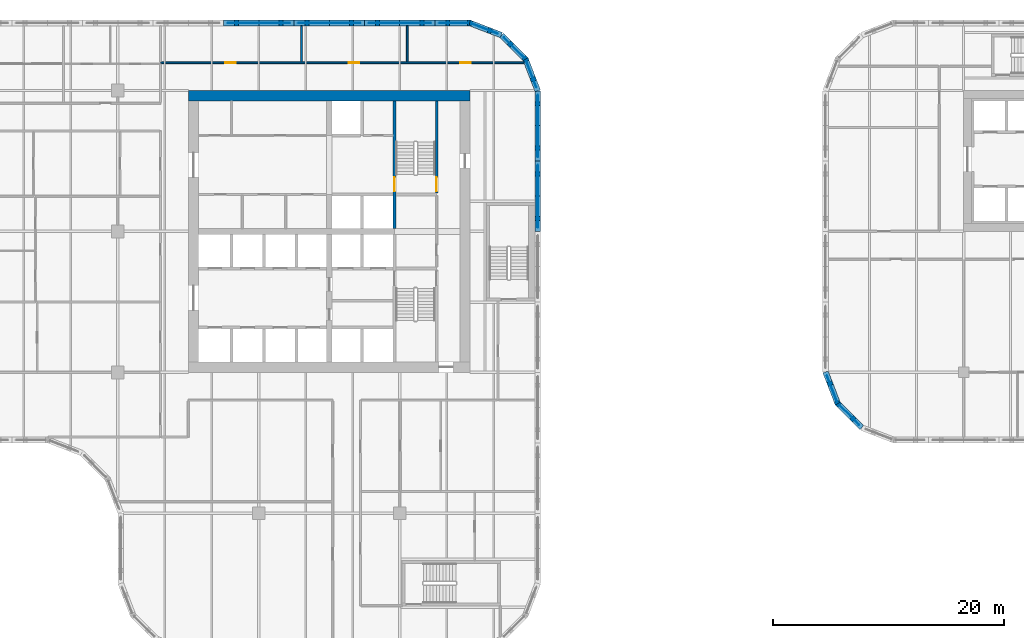
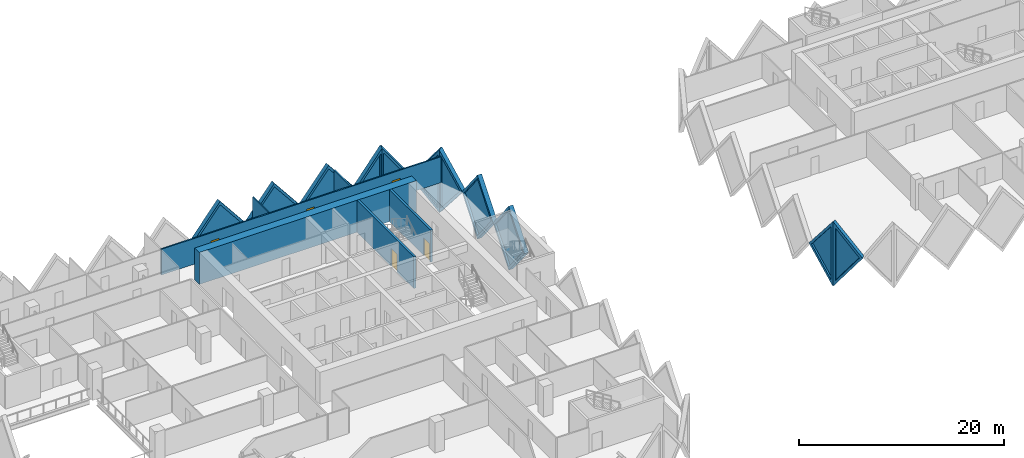
# One storey, part 10 of 18: 17 walls, 11 plates, 5 doors, 16 openings.
"""IFC4 building model written with IfcOpenShell, lengths in metres."""

from ifc_helpers import new_model, si_unit, direction, frame, frame_2d, origin, place, context, subcontext, project, spatial, polyline, rectangle, outline, extrude, faceted_brep, source, transform, mapped, material, layer, layer_set, type_object, element, fill, save


model = new_model("IFC4")

# Units and contexts
model_context = context("Model", 3, precision=1e-05, world=origin(), true_north=direction((0.0, 1.0)))
body_context = subcontext(model_context, "Body", "Model", "MODEL_VIEW")
ifc_project = project(units=[si_unit("LENGTHUNIT", "METRE"), si_unit("AREAUNIT", "SQUARE_METRE"), si_unit("VOLUMEUNIT", "CUBIC_METRE"), si_unit("PLANEANGLEUNIT", "RADIAN"), si_unit("MASSUNIT", "GRAM", prefix="KILO")], contexts=[model_context])

# Site, building, storey
site_placement = place(None, origin())
site = spatial("IfcSite", under=ifc_project, at=site_placement, CompositionType="ELEMENT")
building_placement = place(site_placement, origin())
building = spatial("IfcBuilding", under=site, at=building_placement, Name="Tessera Gate Towers", CompositionType="ELEMENT")
storey_placement = place(building_placement, frame((0.0, 0.0, 56.199951171875)))
storey = spatial("IfcBuildingStorey", under=building, at=storey_placement, Name="L13", CompositionType="ELEMENT", Elevation=56.199951171875)

# Wall, opening, door
ifc_material_1 = material(Name="Concrete C40/50", Category="concrete")
ifc_layer_1 = layer(ifc_material_1, 0.25)
ifc_layer_set_1 = layer_set([ifc_layer_1], Name="CORE ENCLOSURE WALL 250")
wall_type_1 = type_object("IfcWallType", Name="CORE ENCLOSURE WALL 250", PredefinedType="SOLIDWALL", material=ifc_layer_set_1)
wall_1_placement = place(storey_placement, frame((48.35009765625, 47.89990234375, 0.0), z_axis=(0.0, 0.0, 1.0), x_axis=(0.0, -1.0, 0.0)))
wall_1 = element("IfcWall", 1, at=wall_1_placement, inside=storey, type_object=wall_type_1, Name="L13 shaft and stair enclosure wall", PredefinedType="SOLIDWALL", context=body_context, shape_type="SweptSolid", body=[
    extrude(rectangle(XDim=11.0498046875, YDim=0.25, at=frame_2d((5.52490234375, 0.0))), origin(), (0.0, 0.0, 1.0), 3.800048828125),
])
shared_shape_1 = source(origin(), body_context, "Body", "SweptSolid", [
    extrude(rectangle(XDim=1.199951171875, YDim=2.10009765625, at=frame_2d((0.60009765625, 1.050048828125))), frame((0.0, 0.135009765625, 0.0), z_axis=(0.0, -1.0, 0.0), x_axis=(1.0, 0.0, 0.0)), (0.0, 0.0, 1.0), 0.27001953125),
])
opening_1_placement = place(wall_1_placement, frame((6.625, 0.0, 0.0)))
opening_1 = element("IfcOpeningElement", 2, at=opening_1_placement, cuts=wall_1, Name="Opening SD-ST2-1", PredefinedType="OPENING", context=body_context, shape_type="MappedRepresentation", body=[
    mapped(shared_shape_1, transform((0.0, 0.0, 0.0), scale=1.0)),
])
ifc_material_2 = material(Name="Hollow steel fire door", Category="steel")
door_type_1 = type_object("IfcDoorType", Name="CORE DOOR SD 1200x2100", OperationType="NOTDEFINED", PredefinedType="DOOR", material=ifc_material_2)
shared_shape_2 = source(origin(), body_context, "Body", "SweptSolid", [
    extrude(rectangle(XDim=1.199951171875, YDim=2.10009765625, at=frame_2d((0.60009765625, 1.050048828125))), frame((0.0, 0.02490234375, 0.0), z_axis=(0.0, -1.0, 0.0), x_axis=(1.0, 0.0, 0.0)), (0.0, 0.0, 1.0), 0.050048828125),
])
door_1_placement = place(opening_1_placement, origin())
door_1 = element("IfcDoor", 3, at=door_1_placement, inside=storey, type_object=door_type_1, Name="Stair door", OperationType="SINGLE_SWING_RIGHT", OverallHeight=2.10009765625, OverallWidth=1.199951171875, PredefinedType="DOOR", context=body_context, shape_type="MappedRepresentation", body=[
    mapped(shared_shape_2, transform((0.0, 0.0, 0.0), scale=1.0)),
])
fill(opening_1, door_1)

wall_2_placement = place(storey_placement, frame((52.0, 39.925048828125, 0.0), z_axis=(0.0, 0.0, 1.0), x_axis=(0.0, 1.0, 0.0)))
wall_2 = element("IfcWall", 4, at=wall_2_placement, inside=storey, type_object=wall_type_1, Name="L13 shaft and stair enclosure wall", PredefinedType="SOLIDWALL", context=body_context, shape_type="SweptSolid", body=[
    extrude(rectangle(XDim=7.974853515625, YDim=0.25, at=frame_2d((3.9873046875, 0.0))), origin(), (0.0, 0.0, 1.0), 3.800048828125),
])
opening_2_placement = place(wall_2_placement, frame((0.14990234375, 0.0, 0.0)))
opening_2 = element("IfcOpeningElement", 5, at=opening_2_placement, cuts=wall_2, Name="Opening SD-ST2-2", PredefinedType="OPENING", context=body_context, shape_type="MappedRepresentation", body=[
    mapped(shared_shape_1, transform((0.0, 0.0, 0.0), scale=1.0)),
])
door_2_placement = place(opening_2_placement, origin())
door_2 = element("IfcDoor", 6, at=door_2_placement, inside=storey, type_object=door_type_1, Name="Stair door", OperationType="SINGLE_SWING_LEFT", OverallHeight=2.10009765625, OverallWidth=1.199951171875, PredefinedType="DOOR", context=body_context, shape_type="MappedRepresentation", body=[
    mapped(shared_shape_2, transform((0.0, 0.0, 0.0), scale=1.0)),
])
fill(opening_2, door_2)

# Wall
ifc_material_3 = material(Name="Concrete C70/85", Category="concrete")
ifc_layer_2 = layer(ifc_material_3, 0.89990234375)
ifc_layer_set_2 = layer_set([ifc_layer_2], Name="CORE SHEAR WALL 900 C70/85")
wall_type_2 = type_object("IfcWallType", Name="CORE SHEAR WALL 900 C70/85", PredefinedType="SHEAR", material=ifc_layer_set_2)
wall_3_placement = place(storey_placement, frame((30.5, 48.35009765625, 0.0), z_axis=(0.0, 0.0, 1.0), x_axis=(1.0, 0.0, 0.0)))
element("IfcWall", 7, at=wall_3_placement, inside=storey, type_object=wall_type_2, Name="Core wall N L13", PredefinedType="SHEAR", context=body_context, shape_type="SweptSolid", body=[
    extrude(rectangle(XDim=24.39990234375, YDim=0.89990234375, at=frame_2d((12.199951171875, 0.0))), origin(), (0.0, 0.0, 1.0), 3.800048828125),
])

# Wall, openings, doors
ifc_material_4 = material(Name="Gypsum board on steel studs, mineral wool", Category="steel")
ifc_layer_3 = layer(ifc_material_4, 0.14990234375)
ifc_layer_set_3 = layer_set([ifc_layer_3], Name="CORRIDOR WALL 150")
wall_type_3 = type_object("IfcWallType", Name="CORRIDOR WALL 150", PredefinedType="PARTITIONING", material=ifc_layer_set_3)
wall_4_placement = place(storey_placement, frame((28.10009765625, 51.199951171875, 0.0), z_axis=(0.0, 0.0, 1.0), x_axis=(1.0, 0.0, 0.0)))
wall_4 = element("IfcWall", 8, at=wall_4_placement, inside=storey, type_object=wall_type_3, Name="T1-L13-PW-047", PredefinedType="PARTITIONING", context=body_context, shape_type="SweptSolid", body=[
    extrude(rectangle(XDim=31.438232421875, YDim=0.14990234375, at=frame_2d((15.71923828125, 0.0))), origin(), (0.0, 0.0, 1.0), 3.067138671875),
])
shared_shape_3 = source(origin(), body_context, "Body", "SweptSolid", [
    extrude(rectangle(XDim=0.89990234375, YDim=2.10009765625, at=frame_2d((0.449951171875, 1.050048828125))), frame((0.0, 0.0849609375, 0.0), z_axis=(0.0, -1.0, 0.0), x_axis=(1.0, 0.0, 0.0)), (0.0, 0.0, 1.0), 0.169921875),
])
opening_3_placement = place(wall_4_placement, frame((16.301025390625, 0.0, 0.0)))
opening_3 = element("IfcOpeningElement", 9, at=opening_3_placement, cuts=wall_4, Name="Opening D890FD60-A05-05", PredefinedType="OPENING", context=body_context, shape_type="MappedRepresentation", body=[
    mapped(shared_shape_3, transform((0.0, 0.0, 0.0), scale=1.0)),
])
opening_4_placement = place(wall_4_placement, frame((25.949951171875, 0.0, 0.0)))
opening_4 = element("IfcOpeningElement", 10, at=opening_4_placement, cuts=wall_4, Name="Opening D890FD60-A05-08", PredefinedType="OPENING", context=body_context, shape_type="MappedRepresentation", body=[
    mapped(shared_shape_3, transform((0.0, 0.0, 0.0), scale=1.0)),
])
opening_5_placement = place(wall_4_placement, frame((5.60009765625, 0.0, 0.0)))
opening_5 = element("IfcOpeningElement", 11, at=opening_5_placement, cuts=wall_4, Name="Opening D890FD60-A05-09", PredefinedType="OPENING", context=body_context, shape_type="MappedRepresentation", body=[
    mapped(shared_shape_3, transform((0.0, 0.0, 0.0), scale=1.0)),
])
ifc_material_5 = material(Name="Timber door leaf in steel frame", Category="steel")
door_type_2 = type_object("IfcDoorType", Name="CORRIDOR DOOR 900 FD60", OperationType="NOTDEFINED", PredefinedType="DOOR", material=ifc_material_5)
shared_shape_4 = source(origin(), body_context, "Body", "SweptSolid", [
    extrude(rectangle(XDim=0.89990234375, YDim=2.10009765625, at=frame_2d((0.449951171875, 1.050048828125))), frame((0.0, 0.02490234375, 0.0), z_axis=(0.0, -1.0, 0.0), x_axis=(1.0, 0.0, 0.0)), (0.0, 0.0, 1.0), 0.050048828125),
])
door_3_placement = place(opening_3_placement, origin())
door_3 = element("IfcDoor", 12, at=door_3_placement, inside=storey, type_object=door_type_2, Name="T1-L13-PD-024", OperationType="SINGLE_SWING_LEFT", OverallHeight=2.10009765625, OverallWidth=0.89990234375, PredefinedType="DOOR", context=body_context, shape_type="MappedRepresentation", body=[
    mapped(shared_shape_4, transform((0.0, 0.0, 0.0), scale=1.0)),
])
fill(opening_3, door_3)
door_4_placement = place(opening_4_placement, origin())
door_4 = element("IfcDoor", 13, at=door_4_placement, inside=storey, type_object=door_type_2, Name="T1-L13-PD-027", OperationType="SINGLE_SWING_LEFT", OverallHeight=2.10009765625, OverallWidth=0.89990234375, PredefinedType="DOOR", context=body_context, shape_type="MappedRepresentation", body=[
    mapped(shared_shape_4, transform((0.0, 0.0, 0.0), scale=1.0)),
])
fill(opening_4, door_4)
door_5_placement = place(opening_5_placement, origin())
door_5 = element("IfcDoor", 14, at=door_5_placement, inside=storey, type_object=door_type_2, Name="T1-L13-PD-028", OperationType="SINGLE_SWING_LEFT", OverallHeight=2.10009765625, OverallWidth=0.89990234375, PredefinedType="DOOR", context=body_context, shape_type="MappedRepresentation", body=[
    mapped(shared_shape_4, transform((0.0, 0.0, 0.0), scale=1.0)),
])
fill(opening_5, door_5)

# Walls
ifc_material_6 = material(Name="Gypsum board on steel studs, mineral wool", Category="steel")
ifc_layer_4 = layer(ifc_material_6, 0.14990234375)
ifc_layer_set_4 = layer_set([ifc_layer_4], Name="TENANCY WALL 150")
wall_type_4 = type_object("IfcWallType", Name="TENANCY WALL 150", PredefinedType="PARTITIONING", material=ifc_layer_set_4)
for number, where, z_axis, x_axis, name in (
    (15, (40.300048828125, 51.27587890625, 0.0), (0.0, 0.0, 1.0), (0.0, 1.0, 0.0), "T1-L13-PW-049"),
    (16, (49.449951171875, 51.27587890625, 0.0), (0.0, 0.0, 1.0), (0.0, 1.0, 0.0), "T1-L13-PW-050"),
):
    element("IfcWall", number, at=place(storey_placement, frame(where, z_axis=z_axis, x_axis=x_axis)), inside=storey, type_object=wall_type_4, Name=name, PredefinedType="PARTITIONING", context=body_context, shape_type="SweptSolid", body=[
        extrude(rectangle(XDim=3.1240234375, YDim=0.14990234375, at=frame_2d((1.56201171875, 0.0))), origin(), (0.0, 0.0, 1.0), 3.067138671875),
    ])

# Wall, opening, plate
ifc_material_7 = material(Name="Precast concrete C60/75 white", Category="concrete")
ifc_layer_5 = layer(ifc_material_7, 0.5)
ifc_layer_set_5 = layer_set([ifc_layer_5], Name="TS1 tessera")
wall_type_5 = type_object("IfcWallType", Name="TS1 tessera", PredefinedType="SOLIDWALL", material=ifc_layer_set_5)
shared_shape_5 = source(origin(), body_context, "Body", "Brep", [
    faceted_brep([(3.050048828125, -0.25, 0.0), (6.099853515625, -0.25, 3.7998046875), (6.099853515625, -0.25, 3.80029296875), (3.050048828125, -0.25, 7.60009765625), (0.0, -0.25, 3.800048828125), (0.0, 0.25, 3.800048828125), (3.050048828125, 0.25, 7.60009765625), (6.099853515625, 0.25, 3.80029296875), (6.099853515625, 0.25, 3.7998046875), (3.050048828125, 0.25, 0.0)], [[[0, 1, 2, 3, 4]], [[5, 6, 7, 8, 9]], [[9, 8, 1, 0]], [[7, 6, 3, 2]], [[6, 5, 4, 3]], [[5, 9, 0, 4]], [[1, 8, 7, 2]]]),
])
wall_5_placement = place(storey_placement, frame((60.75, 36.60009765625, -3.800048828125), z_axis=(0.0, 0.0, 1.0), x_axis=(0.0, 1.0, 0.0)))
wall_5 = element("IfcWall", 17, at=wall_5_placement, inside=storey, type_object=wall_type_5, Name="Precast tessera T1 TS1-0192", PredefinedType="SOLIDWALL", context=body_context, shape_type="MappedRepresentation", body=[
    mapped(shared_shape_5, transform((0.0, 0.0, 0.0), scale=1.0)),
])
shared_shape_6 = source(origin(), body_context, "Body", "SweptSolid", [
    extrude(outline(polyline([(3.050048828125, 0.3994140625), (5.779541015625, 3.800048828125), (3.050048828125, 7.20068359375), (0.320556640625, 3.800048828125), (3.050048828125, 0.3994140625)])), frame((0.0, 0.260009765625, 0.0), z_axis=(0.0, -1.0, 0.0), x_axis=(1.0, 0.0, 0.0)), (0.0, 0.0, 1.0), 0.52001953125),
])
opening_6_placement = place(wall_5_placement, origin())
opening_6 = element("IfcOpeningElement", 18, at=opening_6_placement, cuts=wall_5, Name="Opening T1-PL2-0390", PredefinedType="OPENING", context=body_context, shape_type="MappedRepresentation", body=[
    mapped(shared_shape_6, transform((0.0, 0.0, 0.0), scale=1.0)),
])
ifc_material_8 = material(Name="Low-e laminated glass", Category="glass")
ifc_layer_6 = layer(ifc_material_8, 0.06005859375)
ifc_layer_set_6 = layer_set([ifc_layer_6], Name="PL2 rhombic pane")
plate_type = type_object("IfcPlateType", Name="PL2 rhombic pane", PredefinedType="SHEET", material=ifc_layer_set_6)
shared_shape_7 = source(origin(), body_context, "Body", "SweptSolid", [
    extrude(outline(polyline([(3.050048828125, 0.3994140625), (5.779541015625, 3.800048828125), (3.050048828125, 7.20068359375), (0.320556640625, 3.800048828125), (3.050048828125, 0.3994140625)])), frame((0.0, 0.030029296875, 0.0), z_axis=(0.0, -1.0, 0.0), x_axis=(1.0, 0.0, 0.0)), (0.0, 0.0, 1.0), 0.06005859375),
])
plate_1_placement = place(opening_6_placement, origin())
plate_1 = element("IfcPlate", 19, at=plate_1_placement, inside=storey, type_object=plate_type, Name="Glass pane T1 PL2-0390", PredefinedType="SHEET", context=body_context, shape_type="MappedRepresentation", body=[
    mapped(shared_shape_7, transform((0.0, 0.0, 0.0), scale=1.0)),
])
fill(opening_6, plate_1)

wall_6_placement = place(storey_placement, frame((39.64990234375, 54.64990234375, -3.800048828125), z_axis=(0.0, 0.0, 1.0), x_axis=(-1.0, 0.0, 0.0)))
wall_6 = element("IfcWall", 20, at=wall_6_placement, inside=storey, type_object=wall_type_5, Name="Precast tessera T1 TS1-0196", PredefinedType="SOLIDWALL", context=body_context, shape_type="MappedRepresentation", body=[
    mapped(shared_shape_5, transform((0.0, 0.0, 0.0), scale=1.0)),
])
opening_7_placement = place(wall_6_placement, origin())
opening_7 = element("IfcOpeningElement", 21, at=opening_7_placement, cuts=wall_6, Name="Opening T1-PL2-0398", PredefinedType="OPENING", context=body_context, shape_type="MappedRepresentation", body=[
    mapped(shared_shape_6, transform((0.0, 0.0, 0.0), scale=1.0)),
])
plate_2_placement = place(opening_7_placement, origin())
plate_2 = element("IfcPlate", 22, at=plate_2_placement, inside=storey, type_object=plate_type, Name="Glass pane T1 PL2-0398", PredefinedType="SHEET", context=body_context, shape_type="MappedRepresentation", body=[
    mapped(shared_shape_7, transform((0.0, 0.0, 0.0), scale=1.0)),
])
fill(opening_7, plate_2)

shared_shape_8 = source(origin(), body_context, "Body", "SweptSolid", [
    extrude(outline(polyline([(3.050048828125, 0.0), (6.10009765625, 3.800048828125), (3.050048828125, 7.60009765625), (0.0, 3.800048828125), (3.050048828125, 0.0)])), frame((0.0, 0.25, 0.0), z_axis=(0.0, -1.0, 0.0), x_axis=(1.0, 0.0, 0.0)), (0.0, 0.0, 1.0), 0.5),
])
wall_7_placement = place(storey_placement, frame((51.85009765625, 54.64990234375, -3.800048828125), z_axis=(0.0, 0.0, 1.0), x_axis=(-1.0, 0.0, 0.0)))
wall_7 = element("IfcWall", 23, at=wall_7_placement, inside=storey, type_object=wall_type_5, Name="Precast tessera T1 TS1-0194", PredefinedType="SOLIDWALL", context=body_context, shape_type="MappedRepresentation", body=[
    mapped(shared_shape_8, transform((0.0, 0.0, 0.0), scale=1.0)),
])
opening_8_placement = place(wall_7_placement, origin())
opening_8 = element("IfcOpeningElement", 24, at=opening_8_placement, cuts=wall_7, Name="Opening T1-PL2-0396", PredefinedType="OPENING", context=body_context, shape_type="MappedRepresentation", body=[
    mapped(shared_shape_6, transform((0.0, 0.0, 0.0), scale=1.0)),
])
plate_3_placement = place(opening_8_placement, origin())
plate_3 = element("IfcPlate", 25, at=plate_3_placement, inside=storey, type_object=plate_type, Name="Glass pane T1 PL2-0396", PredefinedType="SHEET", context=body_context, shape_type="MappedRepresentation", body=[
    mapped(shared_shape_7, transform((0.0, 0.0, 0.0), scale=1.0)),
])
fill(opening_8, plate_3)

wall_8_placement = place(storey_placement, frame((45.75, 54.64990234375, -3.800048828125), z_axis=(0.0, 0.0, 1.0), x_axis=(-1.0, 0.0, 0.0)))
wall_8 = element("IfcWall", 26, at=wall_8_placement, inside=storey, type_object=wall_type_5, Name="Precast tessera T1 TS1-0195", PredefinedType="SOLIDWALL", context=body_context, shape_type="MappedRepresentation", body=[
    mapped(shared_shape_8, transform((0.0, 0.0, 0.0), scale=1.0)),
])
opening_9_placement = place(wall_8_placement, origin())
opening_9 = element("IfcOpeningElement", 27, at=opening_9_placement, cuts=wall_8, Name="Opening T1-PL2-0397", PredefinedType="OPENING", context=body_context, shape_type="MappedRepresentation", body=[
    mapped(shared_shape_6, transform((0.0, 0.0, 0.0), scale=1.0)),
])
plate_4_placement = place(opening_9_placement, origin())
plate_4 = element("IfcPlate", 28, at=plate_4_placement, inside=storey, type_object=plate_type, Name="Glass pane T1 PL2-0397", PredefinedType="SHEET", context=body_context, shape_type="MappedRepresentation", body=[
    mapped(shared_shape_7, transform((0.0, 0.0, 0.0), scale=1.0)),
])
fill(opening_9, plate_4)

shared_shape_9 = source(origin(), body_context, "Body", "Brep", [
    faceted_brep([(3.050048828125, -0.25, 0.0), (6.053466796875, -0.25, 3.800048828125), (3.050048828125, -0.25, 7.60009765625), (0.0, -0.25, 3.800048828125), (0.0, 0.25, 3.800048828125), (3.050048828125, 0.25, 7.60009765625), (6.0068359375, 0.25, 3.85888671875), (6.0068359375, 0.25, 3.7412109375), (3.050048828125, 0.25, 0.0), (6.053466796875, 0.0, 3.800048828125)], [[[0, 1, 2, 3]], [[4, 5, 6, 7, 8]], [[8, 7, 9, 1, 0]], [[6, 5, 2, 1, 9]], [[5, 4, 3, 2]], [[4, 8, 0, 3]], [[9, 7, 6]]]),
])
wall_9_placement = place(storey_placement, frame((60.75, 42.699951171875, -3.800048828125), z_axis=(0.0, 0.0, 1.0), x_axis=(0.0, 1.0, 0.0)))
wall_9 = element("IfcWall", 29, at=wall_9_placement, inside=storey, type_object=wall_type_5, Name="Precast tessera T1 TS1-0193", PredefinedType="SOLIDWALL", context=body_context, shape_type="MappedRepresentation", body=[
    mapped(shared_shape_9, transform((0.0, 0.0, 0.0), scale=1.0)),
])
shared_shape_10 = source(origin(), body_context, "Body", "SweptSolid", [
    extrude(outline(polyline([(3.048583984375, 0.4013671875), (5.73486328125, 3.800048828125), (3.048583984375, 7.19873046875), (0.320556640625, 3.800048828125), (3.048583984375, 0.4013671875)])), frame((0.0, 0.260009765625, 0.0), z_axis=(0.0, -1.0, 0.0), x_axis=(1.0, 0.0, 0.0)), (0.0, 0.0, 1.0), 0.52001953125),
])
opening_10_placement = place(wall_9_placement, origin())
opening_10 = element("IfcOpeningElement", 30, at=opening_10_placement, cuts=wall_9, Name="Opening T1-PL2-0391", PredefinedType="OPENING", context=body_context, shape_type="MappedRepresentation", body=[
    mapped(shared_shape_10, transform((0.0, 0.0, 0.0), scale=1.0)),
])
shared_shape_11 = source(origin(), body_context, "Body", "SweptSolid", [
    extrude(outline(polyline([(3.048583984375, 0.4013671875), (5.73486328125, 3.800048828125), (3.048583984375, 7.19873046875), (0.320556640625, 3.800048828125), (3.048583984375, 0.4013671875)])), frame((0.0, 0.030029296875, 0.0), z_axis=(0.0, -1.0, 0.0), x_axis=(1.0, 0.0, 0.0)), (0.0, 0.0, 1.0), 0.06005859375),
])
plate_5_placement = place(opening_10_placement, origin())
plate_5 = element("IfcPlate", 31, at=plate_5_placement, inside=storey, type_object=plate_type, Name="Glass pane T1 PL2-0391", PredefinedType="SHEET", context=body_context, shape_type="MappedRepresentation", body=[
    mapped(shared_shape_11, transform((0.0, 0.0, 0.0), scale=1.0)),
])
fill(opening_10, plate_5)

ifc_material_9 = material(Name="Precast concrete C60/75 white", Category="concrete")
ifc_layer_7 = layer(ifc_material_9, 0.5)
ifc_layer_set_7 = layer_set([ifc_layer_7], Name="TS3 corner tessera")
wall_type_6 = type_object("IfcWallType", Name="TS3 corner tessera", PredefinedType="SOLIDWALL", material=ifc_layer_set_7)
shared_shape_12 = source(origin(), body_context, "Body", "Brep", [
    faceted_brep([(2.950439453125, -0.25, 0.0), (2.9970703125, -0.25, 0.05908203125), (2.9970703125, -0.25, 7.541015625), (2.950439453125, -0.25, 7.60009765625), (0.0, -0.25, 3.800048828125), (0.052978515625, 0.25, 3.8681640625), (2.904052734375, 0.25, 7.540283203125), (2.904052734375, 0.25, 0.059814453125), (0.052978515625, 0.25, 3.73193359375), (2.950439453125, 0.00048828125, 0.0), (2.950439453125, 0.00048828125, 7.60009765625), (0.0, 0.0, 3.800048828125)], [[[0, 1, 2, 3, 4]], [[5, 6, 7, 8]], [[1, 0, 9]], [[10, 3, 2]], [[6, 5, 11, 4, 3, 10]], [[8, 7, 9, 0, 4, 11]], [[8, 11, 5]], [[1, 9, 7, 6, 10, 2]]]),
])
wall_10_placement = place(storey_placement, frame((57.606201171875, 53.588134765625, -3.800048828125), z_axis=(0.0, 0.0, 1.0), x_axis=(-0.932990326376, 0.359901446078, 0.0)))
wall_10 = element("IfcWall", 32, at=wall_10_placement, inside=storey, type_object=wall_type_6, Name="Precast corner tessera T1 TS3-0273", PredefinedType="SOLIDWALL", context=body_context, shape_type="MappedRepresentation", body=[
    mapped(shared_shape_12, transform((0.0, 0.0, 0.0), scale=1.0)),
])
shared_shape_13 = source(origin(), body_context, "Body", "SweptSolid", [
    extrude(outline(polyline([(2.75048828125, 6.934814453125), (0.31640625, 3.800048828125), (2.75048828125, 0.665283203125), (2.75048828125, 6.934814453125)])), frame((0.0, 0.260009765625, 0.0), z_axis=(0.0, -1.0, 0.0), x_axis=(1.0, 0.0, 0.0)), (0.0, 0.0, 1.0), 0.52001953125),
])
opening_11_placement = place(wall_10_placement, origin())
opening_11 = element("IfcOpeningElement", 33, at=opening_11_placement, cuts=wall_10, Name="Opening T1-PL2-0394", PredefinedType="OPENING", context=body_context, shape_type="MappedRepresentation", body=[
    mapped(shared_shape_13, transform((0.0, 0.0, 0.0), scale=1.0)),
])
shared_shape_14 = source(origin(), body_context, "Body", "SweptSolid", [
    extrude(outline(polyline([(2.75048828125, 6.934814453125), (0.31640625, 3.800048828125), (2.75048828125, 0.665283203125), (2.75048828125, 6.934814453125)])), frame((0.0, 0.030029296875, 0.0), z_axis=(0.0, -1.0, 0.0), x_axis=(1.0, 0.0, 0.0)), (0.0, 0.0, 1.0), 0.06005859375),
])
plate_6_placement = place(opening_11_placement, origin())
plate_6 = element("IfcPlate", 34, at=plate_6_placement, inside=storey, type_object=plate_type, Name="Glass pane T1 PL2-0394", PredefinedType="SHEET", context=body_context, shape_type="MappedRepresentation", body=[
    mapped(shared_shape_14, transform((0.0, 0.0, 0.0), scale=1.0)),
])
fill(opening_11, plate_6)

shared_shape_15 = source(origin(), body_context, "Body", "Brep", [
    faceted_brep([(0.046630859375, -0.25, 0.0), (3.050048828125, -0.25, 3.800048828125), (0.046630859375, -0.25, 7.60009765625), (0.0, -0.25, 7.5400390625), (0.0, -0.25, 0.06005859375), (0.09326171875, 0.25, 7.541259765625), (3.050048828125, 0.25, 3.800048828125), (0.09326171875, 0.25, 0.058837890625), (0.046630859375, 0.0, 0.0), (0.046630859375, 0.0, 7.60009765625)], [[[0, 1, 2, 3, 4]], [[5, 6, 7]], [[7, 6, 1, 0, 8]], [[6, 5, 9, 2, 1]], [[3, 2, 9]], [[8, 0, 4]], [[7, 8, 4, 3, 9, 5]]]),
])
wall_11_placement = place(storey_placement, frame((54.900146484375, 54.64990234375, -3.800048828125), z_axis=(0.0, 0.0, 1.0), x_axis=(-1.0, 0.0, 0.0)))
wall_11 = element("IfcWall", 35, at=wall_11_placement, inside=storey, type_object=wall_type_6, Name="Precast corner tessera T1 TS3-0274", PredefinedType="SOLIDWALL", context=body_context, shape_type="MappedRepresentation", body=[
    mapped(shared_shape_15, transform((0.0, 0.0, 0.0), scale=1.0)),
])
shared_shape_16 = source(origin(), body_context, "Body", "SweptSolid", [
    extrude(outline(polyline([(0.24658203125, 0.65625), (2.7314453125, 3.800048828125), (0.24658203125, 6.94384765625), (0.24658203125, 0.65625)])), frame((0.0, 0.260009765625, 0.0), z_axis=(0.0, -1.0, 0.0), x_axis=(1.0, 0.0, 0.0)), (0.0, 0.0, 1.0), 0.52001953125),
])
opening_12_placement = place(wall_11_placement, origin())
opening_12 = element("IfcOpeningElement", 36, at=opening_12_placement, cuts=wall_11, Name="Opening T1-PL2-0395", PredefinedType="OPENING", context=body_context, shape_type="MappedRepresentation", body=[
    mapped(shared_shape_16, transform((0.0, 0.0, 0.0), scale=1.0)),
])
shared_shape_17 = source(origin(), body_context, "Body", "SweptSolid", [
    extrude(outline(polyline([(0.24658203125, 0.65625), (2.7314453125, 3.800048828125), (0.24658203125, 6.94384765625), (0.24658203125, 0.65625)])), frame((0.0, 0.030029296875, 0.0), z_axis=(0.0, -1.0, 0.0), x_axis=(1.0, 0.0, 0.0)), (0.0, 0.0, 1.0), 0.06005859375),
])
plate_7_placement = place(opening_12_placement, origin())
plate_7 = element("IfcPlate", 37, at=plate_7_placement, inside=storey, type_object=plate_type, Name="Glass pane T1 PL2-0395", PredefinedType="SHEET", context=body_context, shape_type="MappedRepresentation", body=[
    mapped(shared_shape_17, transform((0.0, 0.0, 0.0), scale=1.0)),
])
fill(opening_12, plate_7)

shared_shape_18 = source(origin(), body_context, "Body", "Brep", [
    faceted_brep([(0.052978515625, -0.25, 0.0), (2.9970703125, -0.25, 3.800048828125), (0.052978515625, -0.25, 7.60009765625), (0.0, -0.25, 7.531982421875), (0.0, -0.25, 0.068115234375), (0.10595703125, 0.25, 7.53173828125), (2.944091796875, 0.25, 3.8681640625), (2.944091796875, 0.25, 3.73193359375), (0.10595703125, 0.25, 0.068359375), (2.9970703125, 0.000244140625, 3.800048828125), (0.052978515625, 0.0, 0.0), (0.052978515625, 0.0, 7.60009765625)], [[[0, 1, 2, 3, 4]], [[5, 6, 7, 8]], [[8, 7, 9, 1, 0, 10]], [[6, 5, 11, 2, 1, 9]], [[3, 2, 11]], [[10, 0, 4]], [[8, 10, 4, 3, 11, 5]], [[9, 7, 6]]]),
])
wall_12_placement = place(storey_placement, frame((86.674560546875, 21.731201171875, -3.800048828125), z_axis=(0.0, 0.0, 1.0), x_axis=(0.707106781187, -0.707106781187, 0.0)))
wall_12 = element("IfcWall", 38, at=wall_12_placement, inside=storey, type_object=wall_type_6, Name="Precast corner tessera T2 TS3-0192", PredefinedType="SOLIDWALL", context=body_context, shape_type="MappedRepresentation", body=[
    mapped(shared_shape_18, transform((0.0, 0.0, 0.0), scale=1.0)),
])
shared_shape_19 = source(origin(), body_context, "Body", "SweptSolid", [
    extrude(outline(polyline([(0.2529296875, 0.66650390625), (2.680908203125, 3.800048828125), (0.2529296875, 6.933837890625), (0.2529296875, 0.66650390625)])), frame((0.0, 0.260009765625, 0.0), z_axis=(0.0, -1.0, 0.0), x_axis=(1.0, 0.0, 0.0)), (0.0, 0.0, 1.0), 0.52001953125),
])
opening_13_placement = place(wall_12_placement, origin())
opening_13 = element("IfcOpeningElement", 39, at=opening_13_placement, cuts=wall_12, Name="Opening T2-PL2-0305", PredefinedType="OPENING", context=body_context, shape_type="MappedRepresentation", body=[
    mapped(shared_shape_19, transform((0.0, 0.0, 0.0), scale=1.0)),
])
shared_shape_20 = source(origin(), body_context, "Body", "SweptSolid", [
    extrude(outline(polyline([(0.2529296875, 0.66650390625), (2.680908203125, 3.800048828125), (0.2529296875, 6.933837890625), (0.2529296875, 0.66650390625)])), frame((0.0, 0.030029296875, 0.0), z_axis=(0.0, -1.0, 0.0), x_axis=(1.0, 0.0, 0.0)), (0.0, 0.0, 1.0), 0.06005859375),
])
plate_8_placement = place(opening_13_placement, origin())
plate_8 = element("IfcPlate", 40, at=plate_8_placement, inside=storey, type_object=plate_type, Name="Glass pane T2 PL2-0305", PredefinedType="SHEET", context=body_context, shape_type="MappedRepresentation", body=[
    mapped(shared_shape_20, transform((0.0, 0.0, 0.0), scale=1.0)),
])
fill(opening_13, plate_8)

shared_shape_21 = source(origin(), body_context, "Body", "Brep", [
    faceted_brep([(2.950439453125, -0.25, 0.0), (3.00341796875, -0.25, 0.068359375), (3.00341796875, -0.25, 7.53173828125), (2.950439453125, -0.25, 7.60009765625), (0.0, -0.25, 3.800048828125), (0.046630859375, 0.25, 3.860107421875), (2.897705078125, 0.25, 7.531982421875), (2.897705078125, 0.25, 0.068115234375), (0.046630859375, 0.25, 3.739990234375), (2.950439453125, 0.00048828125, 0.0), (2.950439453125, 0.00048828125, 7.60009765625), (0.0, 0.0, 3.800048828125)], [[[0, 1, 2, 3, 4]], [[5, 6, 7, 8]], [[1, 0, 9]], [[10, 3, 2]], [[6, 5, 11, 4, 3, 10]], [[8, 7, 9, 0, 4, 11]], [[8, 11, 5]], [[1, 9, 7, 6, 10, 2]]]),
])
wall_13_placement = place(storey_placement, frame((60.75, 48.75341796875, -3.800048828125), z_axis=(0.0, 0.0, 1.0), x_axis=(-0.35992665181, 0.932980602862, 0.0)))
wall_13 = element("IfcWall", 41, at=wall_13_placement, inside=storey, type_object=wall_type_6, Name="Precast corner tessera T1 TS3-0271", PredefinedType="SOLIDWALL", context=body_context, shape_type="MappedRepresentation", body=[
    mapped(shared_shape_21, transform((0.0, 0.0, 0.0), scale=1.0)),
])
opening_14_placement = place(wall_13_placement, origin())
opening_14 = element("IfcOpeningElement", 42, at=opening_14_placement, cuts=wall_13, Name="Opening T1-PL2-0392", PredefinedType="OPENING", context=body_context, shape_type="MappedRepresentation", body=[
    mapped(shared_shape_13, transform((0.0, 0.0, 0.0), scale=1.0)),
])
plate_9_placement = place(opening_14_placement, origin())
plate_9 = element("IfcPlate", 43, at=plate_9_placement, inside=storey, type_object=plate_type, Name="Glass pane T1 PL2-0392", PredefinedType="SHEET", context=body_context, shape_type="MappedRepresentation", body=[
    mapped(shared_shape_14, transform((0.0, 0.0, 0.0), scale=1.0)),
])
fill(opening_14, plate_9)

wall_14_placement = place(storey_placement, frame((85.64990234375, 24.446533203125, -3.800048828125), z_axis=(0.0, 0.0, 1.0), x_axis=(0.35992665181, -0.932980602862, 0.0)))
wall_14 = element("IfcWall", 44, at=wall_14_placement, inside=storey, type_object=wall_type_6, Name="Precast corner tessera T2 TS3-0191", PredefinedType="SOLIDWALL", context=body_context, shape_type="MappedRepresentation", body=[
    mapped(shared_shape_21, transform((0.0, 0.0, 0.0), scale=1.0)),
])
opening_15_placement = place(wall_14_placement, origin())
opening_15 = element("IfcOpeningElement", 45, at=opening_15_placement, cuts=wall_14, Name="Opening T2-PL2-0304", PredefinedType="OPENING", context=body_context, shape_type="MappedRepresentation", body=[
    mapped(shared_shape_13, transform((0.0, 0.0, 0.0), scale=1.0)),
])
plate_10_placement = place(opening_15_placement, origin())
plate_10 = element("IfcPlate", 46, at=plate_10_placement, inside=storey, type_object=plate_type, Name="Glass pane T2 PL2-0304", PredefinedType="SHEET", context=body_context, shape_type="MappedRepresentation", body=[
    mapped(shared_shape_14, transform((0.0, 0.0, 0.0), scale=1.0)),
])
fill(opening_15, plate_10)

shared_shape_22 = source(origin(), body_context, "Body", "Brep", [
    faceted_brep([(0.052978515625, -0.25, 0.0), (2.9970703125, -0.25, 3.800048828125), (0.052978515625, -0.25, 7.60009765625), (0.0, -0.25, 7.531982421875), (0.0, -0.25, 0.068115234375), (0.10595703125, 0.25, 7.53173828125), (2.944091796875, 0.25, 3.8681640625), (2.944091796875, 0.25, 3.73193359375), (0.10595703125, 0.25, 0.068359375), (2.9970703125, 0.000244140625, 3.800048828125), (0.052978515625, 0.0, 0.0), (0.052978515625, 0.0, 7.60009765625)], [[[0, 1, 2, 3, 4]], [[5, 6, 7, 8]], [[8, 7, 9, 1, 0, 10]], [[6, 5, 11, 2, 1, 9]], [[3, 2, 11]], [[10, 0, 4]], [[8, 10, 4, 3, 11, 5]], [[9, 7, 6]]]),
])
wall_15_placement = place(storey_placement, frame((59.7255859375, 51.46875, -3.800048828125), z_axis=(0.0, 0.0, 1.0), x_axis=(-0.707106781187, 0.707106781187, 0.0)))
wall_15 = element("IfcWall", 47, at=wall_15_placement, inside=storey, type_object=wall_type_6, Name="Precast corner tessera T1 TS3-0272", PredefinedType="SOLIDWALL", context=body_context, shape_type="MappedRepresentation", body=[
    mapped(shared_shape_22, transform((0.0, 0.0, 0.0), scale=1.0)),
])
opening_16_placement = place(wall_15_placement, origin())
opening_16 = element("IfcOpeningElement", 48, at=opening_16_placement, cuts=wall_15, Name="Opening T1-PL2-0393", PredefinedType="OPENING", context=body_context, shape_type="MappedRepresentation", body=[
    mapped(shared_shape_19, transform((0.0, 0.0, 0.0), scale=1.0)),
])
plate_11_placement = place(opening_16_placement, origin())
plate_11 = element("IfcPlate", 49, at=plate_11_placement, inside=storey, type_object=plate_type, Name="Glass pane T1 PL2-0393", PredefinedType="SHEET", context=body_context, shape_type="MappedRepresentation", body=[
    mapped(shared_shape_20, transform((0.0, 0.0, 0.0), scale=1.0)),
])
fill(opening_16, plate_11)

save(model, "model.ifc")
